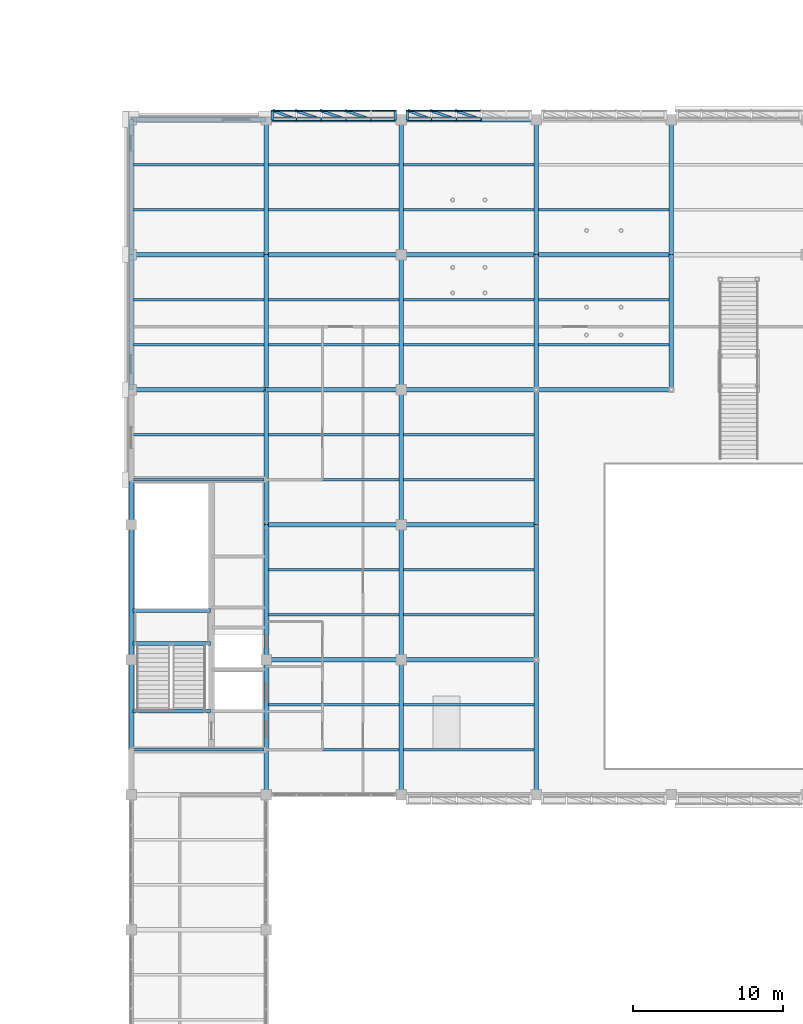
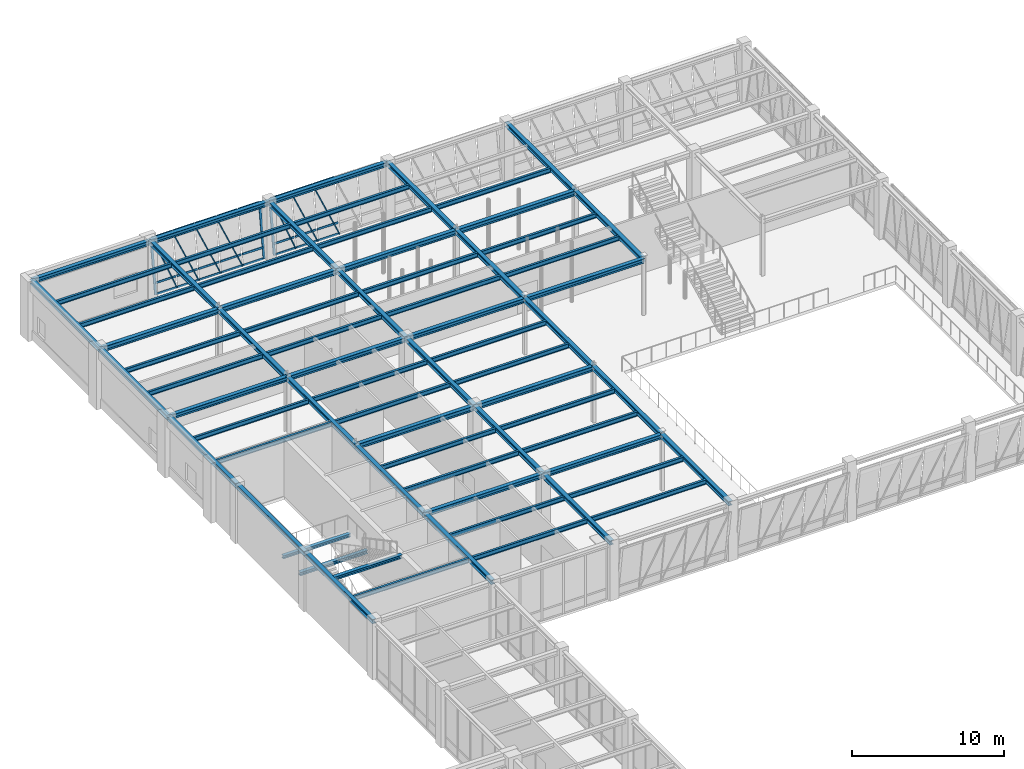
# One storey, part 55 of 92: 70 beams, 34 members, 2 elements without a shape of their own.
"""IFC4 building model written with IfcOpenShell, lengths in metres."""

import ifcopenshell
import ifcopenshell.guid

model = None  # the IFC model being written
_history = None  # IfcOwnerHistory: only IFC2X3 demands one
_inside = {}  # id of a spatial element -> (the spatial element, [elements in it])
_under = {}  # id of a project, library or spatial element -> (it, [spatial elements below it])
_declared = {}  # id of a project -> (the project, [libraries it declares])
_typed = {}  # id of a type object -> (the type object, [elements of that type])
_made_of = {}  # id of a material, layer set ... -> (it, [elements and type objects made of it])


def new_model(schema):
    """Start an empty IFC model of exactly this schema.

    Asked for "IFC4X3", IfcOpenShell would pick the latest addendum, in which some entities
    have other attributes; the version numbers below select the first issue.
    IFC2X3 requires an IfcOwnerHistory on every rooted entity: one is made here for all.
    """
    global model, _history
    if schema == "IFC4X3":
        model = ifcopenshell.file(schema_version=(4, 3, 0, 0))
    else:
        model = ifcopenshell.file(schema=schema)
    _inside.clear()
    _under.clear()
    _declared.clear()
    _typed.clear()
    _made_of.clear()
    _history = None
    if model.schema == "IFC2X3":
        org = make("IfcOrganization", Name="unknown")
        user = make(
            "IfcPersonAndOrganization",
            ThePerson=make("IfcPerson", FamilyName="unknown"),
            TheOrganization=org,
        )
        app = make(
            "IfcApplication",
            ApplicationDeveloper=org,
            Version="unknown",
            ApplicationFullName="unknown",
            ApplicationIdentifier="unknown",
        )
        _history = make(
            "IfcOwnerHistory",
            OwningUser=user,
            OwningApplication=app,
            ChangeAction="ADDED",
            CreationDate=0,
        )
    return model


def make(cls, **values):
    """One entity of the class cls with the attributes given. An attribute that is None is left unset."""
    return model.create_entity(
        cls, **{name: value for name, value in values.items() if value is not None}
    )


def rooted(cls, **values):
    """An entity with a GlobalId (a new one), such as an element, a storey or a relation."""
    return make(cls, GlobalId=ifcopenshell.guid.new(), OwnerHistory=_history, **values)


def si_unit(unit_type, name, prefix=None):
    """IfcSIUnit, for example si_unit("LENGTHUNIT", "METRE", prefix="MILLI")."""
    return make("IfcSIUnit", UnitType=unit_type, Prefix=prefix, Name=name)


def assignment(units):
    """IfcUnitAssignment: the units of a project."""
    return None if units is None else make("IfcUnitAssignment", Units=units)


def point(xyz):
    """IfcCartesianPoint."""
    return None if xyz is None else make("IfcCartesianPoint", Coordinates=xyz)


def direction(xyz):
    """IfcDirection."""
    return None if xyz is None else make("IfcDirection", DirectionRatios=xyz)


def frame(location, z_axis=None, x_axis=None):
    """IfcAxis2Placement3D, a coordinate frame: its origin and axes. An axis left out is left unset."""
    return make(
        "IfcAxis2Placement3D",
        Location=point(location),
        Axis=direction(z_axis),
        RefDirection=direction(x_axis),
    )


def frame_2d(location, x_axis=None):
    """IfcAxis2Placement2D, a coordinate frame in the plane: its origin and x axis."""
    return make(
        "IfcAxis2Placement2D", Location=point(location), RefDirection=direction(x_axis)
    )


def origin():
    """The frame at (0, 0, 0) with its axes left unset."""
    return frame((0.0, 0.0, 0.0))


def origin_2d():
    """The frame at (0, 0) in the plane with its x axis left unset."""
    return frame_2d((0.0, 0.0))


def place(relative_to, where):
    """IfcLocalPlacement: puts the frame where relative to a parent placement (None: the world)."""
    return make(
        "IfcLocalPlacement", PlacementRelTo=relative_to, RelativePlacement=where
    )


def context(
    kind, dimensions, precision=None, world=None, true_north=None, identifier=None
):
    """IfcGeometricRepresentationContext, for example the 3D "Model" context."""
    return make(
        "IfcGeometricRepresentationContext",
        ContextIdentifier=identifier,
        ContextType=kind,
        CoordinateSpaceDimension=dimensions,
        Precision=precision,
        WorldCoordinateSystem=world,
        TrueNorth=true_north,
    )


def subcontext(parent, identifier, kind, view, scale=None):
    """IfcGeometricRepresentationSubContext, for example "Body" below "Model"."""
    return make(
        "IfcGeometricRepresentationSubContext",
        ContextIdentifier=identifier,
        ContextType=kind,
        ParentContext=parent,
        TargetScale=scale,
        TargetView=view,
    )


def project(units=None, contexts=None):
    """IfcProject with its units and contexts."""
    return rooted(
        "IfcProject",
        Name="project",
        RepresentationContexts=contexts,
        UnitsInContext=assignment(units),
    )


def spatial(cls, under=None, at=None, **own):
    """A site, building, storey or space (cls), placed at a placement, below another one or the project."""
    s = rooted(cls, ObjectPlacement=at, **own)
    if under is not None:
        _under.setdefault(under.id(), (under, []))[1].append(s)
    return s


def profile(cls, at=None, kind="AREA", **sizes):
    """A parametric profile (cls). Its sizes go by their IFC names, for example OverallWidth=200.0."""
    return make(cls, ProfileType=kind, Position=at, **sizes)


def hollow_rectangle(**sizes):
    """IfcRectangleHollowProfileDef."""
    return profile("IfcRectangleHollowProfileDef", **sizes)


def i_section(**sizes):
    """IfcIShapeProfileDef."""
    return profile("IfcIShapeProfileDef", **sizes)


def extrude(swept, where, along, depth):
    """IfcExtrudedAreaSolid: the profile swept, set in the frame where, extruded along a direction by depth."""
    return make(
        "IfcExtrudedAreaSolid",
        SweptArea=swept,
        Position=where,
        ExtrudedDirection=direction(along),
        Depth=depth,
    )


def shape(context_of_items, identifier, shape_type, items):
    """IfcShapeRepresentation: the items that make up one representation, for example the "Body"."""
    return make(
        "IfcShapeRepresentation",
        ContextOfItems=context_of_items,
        RepresentationIdentifier=identifier,
        RepresentationType=shape_type,
        Items=items,
    )


def material(Name=None, Category=None):
    """IfcMaterial."""
    return make("IfcMaterial", Name=Name, Category=Category)


def material_profile(
    of_material, cross_section, Name=None, Category=None, Priority=None
):
    """IfcMaterialProfile: a cross section and its material."""
    return make(
        "IfcMaterialProfile",
        Name=Name,
        Material=of_material,
        Profile=cross_section,
        Priority=Priority,
        Category=Category,
    )


def profile_set(profiles, Name=None, composite=None):
    """IfcMaterialProfileSet."""
    return make(
        "IfcMaterialProfileSet",
        Name=Name,
        MaterialProfiles=profiles,
        CompositeProfile=composite,
    )


def made_of(thing, what):
    """Note that an element or type object is made of a material, layer set ...; save() writes the relation."""
    if what is not None:
        _made_of.setdefault(what.id(), (what, []))[1].append(thing)
    return thing


def type_object(cls, material=None, **own):
    """A type object (cls), such as IfcWallType, which elements share."""
    return made_of(rooted(cls, **own), material)


def element(
    cls,
    number,
    at=None,
    inside=None,
    cuts=None,
    type_object=None,
    material=None,
    context=None,
    identifier="Body",
    shape_type=None,
    held_by="IfcProductDefinitionShape",
    body=None,
    shapes=None,
    **own,
):
    """One element of the class cls, such as IfcWall. Its Tag is "e" and its number.

    at: its placement. inside: the storey or other place that contains it. cuts: it is an
    opening in that element (IfcRelVoidsElement). A single representation is given by context,
    identifier, shape_type and body (its items); several are given by shapes. held_by: the class
    of the entity that holds the representations. save() writes the other relations.
    """
    e = rooted(cls, Tag="e%d" % number, ObjectPlacement=at, **own)
    if body is not None:
        shapes = [shape(context, identifier, shape_type, body)]
    if shapes is not None:
        e.Representation = make(held_by, Representations=shapes)
    if inside is not None:
        _inside.setdefault(inside.id(), (inside, []))[1].append(e)
    if cuts is not None:
        rooted(
            "IfcRelVoidsElement", RelatingBuildingElement=cuts, RelatedOpeningElement=e
        )
    if type_object is not None:
        _typed.setdefault(type_object.id(), (type_object, []))[1].append(e)
    return made_of(e, material)


def aggregate(whole, parts):
    """IfcRelAggregates: a whole, such as a stair, and the parts it consists of."""
    return rooted("IfcRelAggregates", RelatingObject=whole, RelatedObjects=parts)


def save(model, path):
    """Write the relations noted so far, then the file.

    IfcRelAggregates (storeys below a building ...), IfcRelContainedInSpatialStructure (elements
    in a storey), IfcRelDefinesByType, IfcRelAssociatesMaterial and IfcRelDeclares: one each for
    every whole, place, type object, material and project.
    """
    for whole, parts in _under.values():
        aggregate(whole, parts)
    for where, things in _inside.values():
        rooted(
            "IfcRelContainedInSpatialStructure",
            RelatedElements=things,
            RelatingStructure=where,
        )
    for kind, things in _typed.values():
        rooted("IfcRelDefinesByType", RelatedObjects=things, RelatingType=kind)
    for what, things in _made_of.values():
        rooted("IfcRelAssociatesMaterial", RelatedObjects=things, RelatingMaterial=what)
    for by, libraries in _declared.values():
        rooted("IfcRelDeclares", RelatingContext=by, RelatedDefinitions=libraries)
    model.write(path)


model = new_model("IFC4")

# Units and contexts
model_context = context("Model", 3, precision=1e-05, world=origin(), true_north=direction((0.0, 1.0)))
body_context = subcontext(model_context, "Body", "Model", "MODEL_VIEW")
ifc_project = project(units=[si_unit("LENGTHUNIT", "METRE"), si_unit("AREAUNIT", "SQUARE_METRE"), si_unit("VOLUMEUNIT", "CUBIC_METRE"), si_unit("PLANEANGLEUNIT", "RADIAN"), si_unit("MASSUNIT", "GRAM", prefix="KILO")], contexts=[model_context])

# Site, building, storey
site_placement = place(None, origin())
site = spatial("IfcSite", under=ifc_project, at=site_placement, CompositionType="ELEMENT")
building_placement = place(site_placement, origin())
building = spatial("IfcBuilding", under=site, at=building_placement, Name="Lykobir Media Centre", CompositionType="ELEMENT")
storey_placement = place(building_placement, frame((0.0, 0.0, 5.39990234375)))
storey = spatial("IfcBuildingStorey", under=building, at=storey_placement, Name="L01", CompositionType="ELEMENT", Elevation=5.39990234375)

# Beams
ifc_material_1 = material(Name="Steel S355", Category="steel")
ifc_material_profile_1 = material_profile(ifc_material_1, i_section(OverallWidth=0.300048828125, OverallDepth=0.35009765625, WebThickness=0.010009765625, FlangeThickness=0.017578125, at=origin_2d()), Name="HEA 360")
ifc_profile_set_1 = profile_set([ifc_material_profile_1], Name="Steel S355")
beam_type_1 = type_object("IfcBeamType", Name="BM-HEA360", PredefinedType="BEAM", material=ifc_profile_set_1)
for number, where, z_axis, x_axis, name in (
    (1, (36.0, 63.0, 4.385009765625), (0.0, 1.0, 0.0), (-1.0, 0.0, 0.0), "Beam BM-L01-0360-0630-0360-0720-978"),
    (2, (36.0, 72.0, 4.385009765625), (0.0, 1.0, 0.0), (-1.0, 0.0, 0.0), "Beam BM-L01-0360-0720-0360-0810-978"),
    (3, (36.0, 81.0, 4.385009765625), (0.0, 1.0, 0.0), (-1.0, 0.0, 0.0), "Beam BM-L01-0360-0810-0360-0900-978"),
    (4, (36.0, 90.0, 4.385009765625), (0.0, 1.0, 0.0), (-1.0, 0.0, 0.0), "Beam BM-L01-0360-0900-0360-0990-978"),
    (5, (36.0, 99.0, 4.385009765625), (0.0, 1.0, 0.0), (-1.0, 0.0, 0.0), "Beam BM-L01-0360-0990-0360-1080-978"),
    (6, (45.0, 63.0, 4.385009765625), (0.0, 1.0, 0.0), (-1.0, 0.0, 0.0), "Beam BM-L01-0450-0630-0450-0720-978"),
    (7, (45.0, 72.0, 4.385009765625), (0.0, 1.0, 0.0), (-1.0, 0.0, 0.0), "Beam BM-L01-0450-0720-0450-0810-978"),
    (8, (45.0, 81.0, 4.385009765625), (0.0, 1.0, 0.0), (-1.0, 0.0, 0.0), "Beam BM-L01-0450-0810-0450-0900-978"),
    (9, (45.0, 90.0, 4.385009765625), (0.0, 1.0, 0.0), (-1.0, 0.0, 0.0), "Beam BM-L01-0450-0900-0450-0990-978"),
    (10, (45.0, 99.0, 4.385009765625), (0.0, 1.0, 0.0), (-1.0, 0.0, 0.0), "Beam BM-L01-0450-0990-0450-1080-978"),
    (11, (54.0, 63.0, 4.385009765625), (0.0, 1.0, 0.0), (-1.0, 0.0, 0.0), "Beam BM-L01-0540-0630-0540-0720-978"),
    (12, (54.0, 72.0, 4.385009765625), (0.0, 1.0, 0.0), (-1.0, 0.0, 0.0), "Beam BM-L01-0540-0720-0540-0810-978"),
    (13, (54.0, 81.0, 4.385009765625), (0.0, 1.0, 0.0), (-1.0, 0.0, 0.0), "Beam BM-L01-0540-0810-0540-0900-978"),
    (14, (54.0, 90.0, 4.385009765625), (0.0, 1.0, 0.0), (-1.0, 0.0, 0.0), "Beam BM-L01-0540-0900-0540-0990-978"),
    (15, (54.0, 99.0, 4.385009765625), (0.0, 1.0, 0.0), (-1.0, 0.0, 0.0), "Beam BM-L01-0540-0990-0540-1080-978"),
    (16, (63.0, 90.0, 4.385009765625), (0.0, 1.0, 0.0), (-1.0, 0.0, 0.0), "Beam BM-L01-0630-0900-0630-0990-978"),
    (17, (63.0, 99.0, 4.385009765625), (0.0, 1.0, 0.0), (-1.0, 0.0, 0.0), "Beam BM-L01-0630-0990-0630-1080-978"),
):
    element("IfcBeam", number, at=place(storey_placement, frame(where, z_axis=z_axis, x_axis=x_axis)), inside=storey, type_object=beam_type_1, Name=name, PredefinedType="BEAM", context=body_context, shape_type="SweptSolid", body=[
        extrude(i_section(OverallWidth=0.300048828125, OverallDepth=0.35009765625, WebThickness=0.010009765625, FlangeThickness=0.017578125, at=origin_2d()), origin(), (0.0, 0.0, 1.0), 9.0),
    ])
ifc_material_profile_2 = material_profile(ifc_material_1, i_section(OverallWidth=0.300048828125, OverallDepth=0.389892578125, WebThickness=0.010986328125, FlangeThickness=0.01904296875, at=origin_2d()), Name="HEA 400")
ifc_profile_set_2 = profile_set([ifc_material_profile_2], Name="Steel S355")
beam_type_2 = type_object("IfcBeamType", Name="BM-HEA400", PredefinedType="BEAM", material=ifc_profile_set_2)
for number, where, z_axis, x_axis, name in (
    (18, (36.0, 81.0, 4.364990234375), (1.0, 0.0, 0.0), (0.0, 1.0, 0.0), "Beam BM-L01-0360-0810-0450-0810-976"),
    (19, (45.0, 81.0, 4.364990234375), (1.0, 0.0, 0.0), (0.0, 1.0, 0.0), "Beam BM-L01-0450-0810-0540-0810-976"),
    (20, (27.0, 99.0, 4.364990234375), (1.0, 0.0, 0.0), (0.0, 1.0, 0.0), "Beam BM-L01-0270-0990-0360-0990-976"),
    (21, (36.0, 99.0, 4.364990234375), (1.0, 0.0, 0.0), (0.0, 1.0, 0.0), "Beam BM-L01-0360-0990-0450-0990-976"),
    (22, (45.0, 99.0, 4.364990234375), (1.0, 0.0, 0.0), (0.0, 1.0, 0.0), "Beam BM-L01-0450-0990-0540-0990-976"),
    (23, (54.0, 99.0, 4.364990234375), (1.0, 0.0, 0.0), (0.0, 1.0, 0.0), "Beam BM-L01-0540-0990-0630-0990-976"),
):
    element("IfcBeam", number, at=place(storey_placement, frame(where, z_axis=z_axis, x_axis=x_axis)), inside=storey, type_object=beam_type_2, Name=name, PredefinedType="BEAM", context=body_context, shape_type="SweptSolid", body=[
        extrude(i_section(OverallWidth=0.300048828125, OverallDepth=0.389892578125, WebThickness=0.010986328125, FlangeThickness=0.01904296875, at=origin_2d()), origin(), (0.0, 0.0, 1.0), 9.0),
    ])
ifc_material_profile_3 = material_profile(ifc_material_1, i_section(OverallWidth=0.260009765625, OverallDepth=0.25, WebThickness=0.007568359375, FlangeThickness=0.012451171875, at=origin_2d()), Name="HEA 260")
ifc_profile_set_3 = profile_set([ifc_material_profile_3], Name="Steel S355")
beam_type_3 = type_object("IfcBeamType", Name="BM-ST260", PredefinedType="BEAM", material=ifc_profile_set_3)
beam_placement = place(storey_placement, frame((27.1298828125, 75.280029296875, 2.080078125), z_axis=(1.0, 0.0, 0.0), x_axis=(0.0, 1.0, 0.0)))
element("IfcBeam", 24, at=beam_placement, inside=storey, type_object=beam_type_3, Name="ST-3 L01 half-landing support beam", PredefinedType="BEAM", context=body_context, shape_type="SweptSolid", body=[
    extrude(i_section(OverallWidth=0.260009765625, OverallDepth=0.25, WebThickness=0.007568359375, FlangeThickness=0.012451171875, at=origin_2d()), origin(), (0.0, 0.0, 1.0), 5.14013671875),
])
ifc_material_profile_4 = material_profile(ifc_material_1, i_section(OverallWidth=0.280029296875, OverallDepth=0.27001953125, WebThickness=0.008056640625, FlangeThickness=0.012939453125, at=origin_2d()), Name="HEA 280")
ifc_profile_set_4 = profile_set([ifc_material_profile_4], Name="Steel S355")
beam_type_4 = type_object("IfcBeamType", Name="BM-ST280", PredefinedType="BEAM", material=ifc_profile_set_4)
for number, where, z_axis, x_axis, name in (
    (25, (27.1298828125, 68.580078125, 4.425048828125), (1.0, 0.0, 0.0), (0.0, 1.0, 0.0), "ST-3 L01 arrival trimmer beam"),
    (26, (27.1298828125, 73.080078125, 2.070068359375), (1.0, 0.0, 0.0), (0.0, 1.0, 0.0), "ST-3 L01 mid-landing trimmer beam"),
):
    element("IfcBeam", number, at=place(storey_placement, frame(where, z_axis=z_axis, x_axis=x_axis)), inside=storey, type_object=beam_type_4, Name=name, PredefinedType="BEAM", context=body_context, shape_type="SweptSolid", body=[
        extrude(i_section(OverallWidth=0.280029296875, OverallDepth=0.27001953125, WebThickness=0.008056640625, FlangeThickness=0.012939453125, at=origin_2d()), origin(), (0.0, 0.0, 1.0), 5.14013671875),
    ])

# Curtain wall, members
ifc_material_2 = material(Name="Anodized Aluminium AW-6060", Category="aluminium")
curtain_wall_type = type_object("IfcCurtainWallType", Name="CW-V6-CR1", PredefinedType="NOTDEFINED", material=ifc_material_2)
curtain_wall_1_placement = place(storey_placement, origin())
curtain_wall_1 = element("IfcCurtainWall", 27, at=curtain_wall_1_placement, inside=storey, type_object=curtain_wall_type, Name="Curtain wall CW2-L01-0063", PredefinedType="NOTDEFINED")
ifc_material_profile_5 = material_profile(ifc_material_2, hollow_rectangle(XDim=0.074951171875, YDim=0.179931640625, WallThickness=0.00390625, at=origin_2d()), Name="ALU MULLION 75x180")
ifc_profile_set_5 = profile_set([ifc_material_profile_5], Name="Anodized Aluminium AW-6060")
member_type_1 = type_object("IfcMemberType", Name="CWM-180", PredefinedType="MULLION", material=ifc_profile_set_5)
member_1_placement = place(storey_placement, frame((44.607421875, 108.0, 0.0), z_axis=(0.0, 0.142622832142, 0.989777110137), x_axis=(0.0, 0.989777110137, -0.142622832142)))
member_1 = element("IfcMember", 28, at=member_1_placement, type_object=member_type_1, Name="CW2-L01-0063 mullion 1", PredefinedType="MULLION", context=body_context, shape_type="SweptSolid", body=[
    extrude(hollow_rectangle(XDim=0.074951171875, YDim=0.179931640625, WallThickness=0.00390625, at=origin_2d()), origin(), (0.0, 0.0, 1.0), 4.23828125),
])
member_2_placement = place(storey_placement, frame((42.987060546875, 108.0, 0.0), z_axis=(-0.374602604658, 0.132237817099, 0.917706951217), x_axis=(-0.865370560596, 0.305482963792, -0.39725804169)))
member_2 = element("IfcMember", 29, at=member_2_placement, type_object=member_type_1, Name="CW2-L01-0063 mullion 2", PredefinedType="MULLION", context=body_context, shape_type="SweptSolid", body=[
    extrude(hollow_rectangle(XDim=0.074951171875, YDim=0.179931640625, WallThickness=0.00390625, at=origin_2d()), origin(), (0.0, 0.0, 1.0), 4.5712890625),
])
member_3_placement = place(storey_placement, frame((41.3291015625, 108.0, 0.0), z_axis=(-0.374602604658, 0.132237817099, 0.917706951217), x_axis=(-0.865370560596, 0.305482963792, -0.39725804169)))
member_3 = element("IfcMember", 30, at=member_3_placement, type_object=member_type_1, Name="CW2-L01-0063 mullion 3", PredefinedType="MULLION", context=body_context, shape_type="SweptSolid", body=[
    extrude(hollow_rectangle(XDim=0.074951171875, YDim=0.179931640625, WallThickness=0.00390625, at=origin_2d()), origin(), (0.0, 0.0, 1.0), 4.5712890625),
])
member_4_placement = place(storey_placement, frame((39.6708984375, 108.0, 0.0), z_axis=(-0.374602604658, 0.132237817099, 0.917706951217), x_axis=(-0.865370560596, 0.305482963792, -0.39725804169)))
member_4 = element("IfcMember", 31, at=member_4_placement, type_object=member_type_1, Name="CW2-L01-0063 mullion 4", PredefinedType="MULLION", context=body_context, shape_type="SweptSolid", body=[
    extrude(hollow_rectangle(XDim=0.074951171875, YDim=0.179931640625, WallThickness=0.00390625, at=origin_2d()), origin(), (0.0, 0.0, 1.0), 4.5712890625),
])
member_5_placement = place(storey_placement, frame((38.012939453125, 108.0, 0.0), z_axis=(-0.34256027137, 0.133993559544, 0.929891491777), x_axis=(-0.865999136953, 0.338738366998, -0.367833948298)))
member_5 = element("IfcMember", 32, at=member_5_placement, type_object=member_type_1, Name="CW2-L01-0063 mullion 5", PredefinedType="MULLION", context=body_context, shape_type="SweptSolid", body=[
    extrude(hollow_rectangle(XDim=0.074951171875, YDim=0.179931640625, WallThickness=0.00390625, at=origin_2d()), origin(), (0.0, 0.0, 1.0), 4.511474609375),
])
member_6_placement = place(storey_placement, frame((36.392578125, 108.0, 0.0), z_axis=(0.0, 0.142622832142, 0.989777110137), x_axis=(0.0, 0.989777110137, -0.142622832142)))
member_6 = element("IfcMember", 33, at=member_6_placement, type_object=member_type_1, Name="CW2-L01-0063 mullion 6", PredefinedType="MULLION", context=body_context, shape_type="SweptSolid", body=[
    extrude(hollow_rectangle(XDim=0.074951171875, YDim=0.179931640625, WallThickness=0.00390625, at=origin_2d()), origin(), (0.0, 0.0, 1.0), 4.23828125),
])

curtain_wall_2_placement = place(storey_placement, origin())
curtain_wall_2 = element("IfcCurtainWall", 34, at=curtain_wall_2_placement, inside=storey, type_object=curtain_wall_type, Name="Curtain wall CW2-L01-0064", PredefinedType="NOTDEFINED")
member_7_placement = place(storey_placement, frame((50.3291015625, 108.0, 0.0), z_axis=(-0.374602604658, 0.132237817099, 0.917706951217), x_axis=(-0.865370560596, 0.305482963792, -0.39725804169)))
member_7 = element("IfcMember", 35, at=member_7_placement, type_object=member_type_1, Name="CW2-L01-0064 mullion 3", PredefinedType="MULLION", context=body_context, shape_type="SweptSolid", body=[
    extrude(hollow_rectangle(XDim=0.074951171875, YDim=0.179931640625, WallThickness=0.00390625, at=origin_2d()), origin(), (0.0, 0.0, 1.0), 4.5712890625),
])
member_8_placement = place(storey_placement, frame((48.6708984375, 108.0, 0.0), z_axis=(-0.374602604658, 0.132237817099, 0.917706951217), x_axis=(-0.865370560596, 0.305482963792, -0.39725804169)))
member_8 = element("IfcMember", 36, at=member_8_placement, type_object=member_type_1, Name="CW2-L01-0064 mullion 4", PredefinedType="MULLION", context=body_context, shape_type="SweptSolid", body=[
    extrude(hollow_rectangle(XDim=0.074951171875, YDim=0.179931640625, WallThickness=0.00390625, at=origin_2d()), origin(), (0.0, 0.0, 1.0), 4.5712890625),
])
member_9_placement = place(storey_placement, frame((47.012939453125, 108.0, 0.0), z_axis=(-0.34256027137, 0.133993559544, 0.929891491777), x_axis=(-0.865999136953, 0.338738366998, -0.367833948298)))
member_9 = element("IfcMember", 37, at=member_9_placement, type_object=member_type_1, Name="CW2-L01-0064 mullion 5", PredefinedType="MULLION", context=body_context, shape_type="SweptSolid", body=[
    extrude(hollow_rectangle(XDim=0.074951171875, YDim=0.179931640625, WallThickness=0.00390625, at=origin_2d()), origin(), (0.0, 0.0, 1.0), 4.511474609375),
])
member_10_placement = place(storey_placement, frame((45.392578125, 108.0, 0.0), z_axis=(0.0, 0.142622832142, 0.989777110137), x_axis=(0.0, 0.989777110137, -0.142622832142)))
member_10 = element("IfcMember", 38, at=member_10_placement, type_object=member_type_1, Name="CW2-L01-0064 mullion 6", PredefinedType="MULLION", context=body_context, shape_type="SweptSolid", body=[
    extrude(hollow_rectangle(XDim=0.074951171875, YDim=0.179931640625, WallThickness=0.00390625, at=origin_2d()), origin(), (0.0, 0.0, 1.0), 4.23828125),
])

# Member
ifc_material_profile_6 = material_profile(ifc_material_2, hollow_rectangle(XDim=0.074951171875, YDim=0.14990234375, WallThickness=0.00341796875, at=origin_2d()), Name="ALU TRANSOM 75x150")
ifc_profile_set_6 = profile_set([ifc_material_profile_6], Name="Anodized Aluminium AW-6060")
member_type_2 = type_object("IfcMemberType", Name="CWT-150", PredefinedType="USERDEFINED", material=ifc_profile_set_6)
member_11_placement = place(storey_placement, frame((44.570068359375, 108.00537109375, 0.037109375), z_axis=(-1.0, 0.0, 0.0), x_axis=(0.0, -0.989776230908, 0.142628933706)))
member_11 = element("IfcMember", 39, at=member_11_placement, type_object=member_type_2, Name="CW2-L01-0063 transom 1.1", ObjectType="TRANSOM", PredefinedType="USERDEFINED", context=body_context, shape_type="SweptSolid", body=[
    extrude(hollow_rectangle(XDim=0.074951171875, YDim=0.14990234375, WallThickness=0.00341796875, at=origin_2d()), origin(), (0.0, 0.0, 1.0), 1.545654296875),
])

member_12_placement = place(storey_placement, frame((44.570068359375, 108.12109375, 0.84130859375), z_axis=(-1.0, 0.0, 0.0), x_axis=(0.0, -0.989776230908, 0.142628933706)))
member_12 = element("IfcMember", 40, at=member_12_placement, type_object=member_type_2, Name="CW2-L01-0063 transom 1.2", ObjectType="TRANSOM", PredefinedType="USERDEFINED", context=body_context, shape_type="SweptSolid", body=[
    extrude(hollow_rectangle(XDim=0.074951171875, YDim=0.14990234375, WallThickness=0.00341796875, at=origin_2d()), origin(), (0.0, 0.0, 1.0), 1.545654296875),
])

member_13_placement = place(storey_placement, frame((44.570068359375, 108.59912109375, 4.157958984375), z_axis=(-1.0, 0.0, 0.0), x_axis=(0.0, -0.989776230908, 0.142628933706)))
member_13 = element("IfcMember", 41, at=member_13_placement, type_object=member_type_2, Name="CW2-L01-0063 transom 1.3", ObjectType="TRANSOM", PredefinedType="USERDEFINED", context=body_context, shape_type="SweptSolid", body=[
    extrude(hollow_rectangle(XDim=0.074951171875, YDim=0.14990234375, WallThickness=0.00341796875, at=origin_2d()), origin(), (0.0, 0.0, 1.0), 1.545654296875),
])

member_14_placement = place(storey_placement, frame((42.949462890625, 108.00537109375, 0.037109375), z_axis=(-1.0, 0.0, 0.0), x_axis=(0.0, -0.989776230908, 0.142628933706)))
member_14 = element("IfcMember", 42, at=member_14_placement, type_object=member_type_2, Name="CW2-L01-0063 transom 2.1", ObjectType="TRANSOM", PredefinedType="USERDEFINED", context=body_context, shape_type="SweptSolid", body=[
    extrude(hollow_rectangle(XDim=0.074951171875, YDim=0.14990234375, WallThickness=0.00341796875, at=origin_2d()), origin(), (0.0, 0.0, 1.0), 1.5830078125),
])

member_15_placement = place(storey_placement, frame((42.949462890625, 108.12109375, 0.84130859375), z_axis=(-1.0, 0.0, 0.0), x_axis=(0.0, -0.989776230908, 0.142628933706)))
member_15 = element("IfcMember", 43, at=member_15_placement, type_object=member_type_2, Name="CW2-L01-0063 transom 2.2", ObjectType="TRANSOM", PredefinedType="USERDEFINED", context=body_context, shape_type="SweptSolid", body=[
    extrude(hollow_rectangle(XDim=0.074951171875, YDim=0.14990234375, WallThickness=0.00341796875, at=origin_2d()), origin(), (0.0, 0.0, 1.0), 1.5830078125),
])

member_16_placement = place(storey_placement, frame((42.949462890625, 108.59912109375, 4.157958984375), z_axis=(-1.0, 0.0, 0.0), x_axis=(0.0, -0.989776230908, 0.142628933706)))
member_16 = element("IfcMember", 44, at=member_16_placement, type_object=member_type_2, Name="CW2-L01-0063 transom 2.3", ObjectType="TRANSOM", PredefinedType="USERDEFINED", context=body_context, shape_type="SweptSolid", body=[
    extrude(hollow_rectangle(XDim=0.074951171875, YDim=0.14990234375, WallThickness=0.00341796875, at=origin_2d()), origin(), (0.0, 0.0, 1.0), 1.5830078125),
])

member_17_placement = place(storey_placement, frame((41.29150390625, 108.00537109375, 0.037109375), z_axis=(-1.0, 0.0, 0.0), x_axis=(0.0, -0.989776230908, 0.142628933706)))
member_17 = element("IfcMember", 45, at=member_17_placement, type_object=member_type_2, Name="CW2-L01-0063 transom 3.1", ObjectType="TRANSOM", PredefinedType="USERDEFINED", context=body_context, shape_type="SweptSolid", body=[
    extrude(hollow_rectangle(XDim=0.074951171875, YDim=0.14990234375, WallThickness=0.00341796875, at=origin_2d()), origin(), (0.0, 0.0, 1.0), 1.5830078125),
])

member_18_placement = place(storey_placement, frame((41.29150390625, 108.12109375, 0.84130859375), z_axis=(-1.0, 0.0, 0.0), x_axis=(0.0, -0.989776230908, 0.142628933706)))
member_18 = element("IfcMember", 46, at=member_18_placement, type_object=member_type_2, Name="CW2-L01-0063 transom 3.2", ObjectType="TRANSOM", PredefinedType="USERDEFINED", context=body_context, shape_type="SweptSolid", body=[
    extrude(hollow_rectangle(XDim=0.074951171875, YDim=0.14990234375, WallThickness=0.00341796875, at=origin_2d()), origin(), (0.0, 0.0, 1.0), 1.5830078125),
])

member_19_placement = place(storey_placement, frame((41.29150390625, 108.59912109375, 4.157958984375), z_axis=(-1.0, 0.0, 0.0), x_axis=(0.0, -0.989776230908, 0.142628933706)))
member_19 = element("IfcMember", 47, at=member_19_placement, type_object=member_type_2, Name="CW2-L01-0063 transom 3.3", ObjectType="TRANSOM", PredefinedType="USERDEFINED", context=body_context, shape_type="SweptSolid", body=[
    extrude(hollow_rectangle(XDim=0.074951171875, YDim=0.14990234375, WallThickness=0.00341796875, at=origin_2d()), origin(), (0.0, 0.0, 1.0), 1.5830078125),
])

member_20_placement = place(storey_placement, frame((39.633544921875, 108.00537109375, 0.037109375), z_axis=(-1.0, 0.0, 0.0), x_axis=(0.0, -0.989776230908, 0.142628933706)))
member_20 = element("IfcMember", 48, at=member_20_placement, type_object=member_type_2, Name="CW2-L01-0063 transom 4.1", ObjectType="TRANSOM", PredefinedType="USERDEFINED", context=body_context, shape_type="SweptSolid", body=[
    extrude(hollow_rectangle(XDim=0.074951171875, YDim=0.14990234375, WallThickness=0.00341796875, at=origin_2d()), origin(), (0.0, 0.0, 1.0), 1.5830078125),
])

member_21_placement = place(storey_placement, frame((39.633544921875, 108.12109375, 0.84130859375), z_axis=(-1.0, 0.0, 0.0), x_axis=(0.0, -0.989776230908, 0.142628933706)))
member_21 = element("IfcMember", 49, at=member_21_placement, type_object=member_type_2, Name="CW2-L01-0063 transom 4.2", ObjectType="TRANSOM", PredefinedType="USERDEFINED", context=body_context, shape_type="SweptSolid", body=[
    extrude(hollow_rectangle(XDim=0.074951171875, YDim=0.14990234375, WallThickness=0.00341796875, at=origin_2d()), origin(), (0.0, 0.0, 1.0), 1.5830078125),
])

member_22_placement = place(storey_placement, frame((39.633544921875, 108.59912109375, 4.157958984375), z_axis=(-1.0, 0.0, 0.0), x_axis=(0.0, -0.989776230908, 0.142628933706)))
member_22 = element("IfcMember", 50, at=member_22_placement, type_object=member_type_2, Name="CW2-L01-0063 transom 4.3", ObjectType="TRANSOM", PredefinedType="USERDEFINED", context=body_context, shape_type="SweptSolid", body=[
    extrude(hollow_rectangle(XDim=0.074951171875, YDim=0.14990234375, WallThickness=0.00341796875, at=origin_2d()), origin(), (0.0, 0.0, 1.0), 1.5830078125),
])

member_23_placement = place(storey_placement, frame((37.9755859375, 108.00537109375, 0.037109375), z_axis=(-1.0, 0.0, 0.0), x_axis=(0.0, -0.989776230908, 0.142628933706)))
member_23 = element("IfcMember", 51, at=member_23_placement, type_object=member_type_2, Name="CW2-L01-0063 transom 5.1", ObjectType="TRANSOM", PredefinedType="USERDEFINED", context=body_context, shape_type="SweptSolid", body=[
    extrude(hollow_rectangle(XDim=0.074951171875, YDim=0.14990234375, WallThickness=0.00341796875, at=origin_2d()), origin(), (0.0, 0.0, 1.0), 1.545654296875),
])

member_24_placement = place(storey_placement, frame((37.9755859375, 108.12109375, 0.84130859375), z_axis=(-1.0, 0.0, 0.0), x_axis=(0.0, -0.989776230908, 0.142628933706)))
member_24 = element("IfcMember", 52, at=member_24_placement, type_object=member_type_2, Name="CW2-L01-0063 transom 5.2", ObjectType="TRANSOM", PredefinedType="USERDEFINED", context=body_context, shape_type="SweptSolid", body=[
    extrude(hollow_rectangle(XDim=0.074951171875, YDim=0.14990234375, WallThickness=0.00341796875, at=origin_2d()), origin(), (0.0, 0.0, 1.0), 1.545654296875),
])

member_25_placement = place(storey_placement, frame((37.9755859375, 108.59912109375, 4.157958984375), z_axis=(-1.0, 0.0, 0.0), x_axis=(0.0, -0.989776230908, 0.142628933706)))
member_25 = element("IfcMember", 53, at=member_25_placement, type_object=member_type_2, Name="CW2-L01-0063 transom 5.3", ObjectType="TRANSOM", PredefinedType="USERDEFINED", context=body_context, shape_type="SweptSolid", body=[
    extrude(hollow_rectangle(XDim=0.074951171875, YDim=0.14990234375, WallThickness=0.00341796875, at=origin_2d()), origin(), (0.0, 0.0, 1.0), 1.545654296875),
])

aggregate(curtain_wall_1, [member_1, member_2, member_3, member_4, member_5, member_6, member_11, member_12, member_13, member_14, member_15, member_16, member_17, member_18, member_19, member_20, member_21, member_22, member_23, member_24, member_25])

member_26_placement = place(storey_placement, frame((50.29150390625, 108.00537109375, 0.037109375), z_axis=(-1.0, 0.0, 0.0), x_axis=(0.0, -0.989776230908, 0.142628933706)))
member_26 = element("IfcMember", 54, at=member_26_placement, type_object=member_type_2, Name="CW2-L01-0064 transom 3.1", ObjectType="TRANSOM", PredefinedType="USERDEFINED", context=body_context, shape_type="SweptSolid", body=[
    extrude(hollow_rectangle(XDim=0.074951171875, YDim=0.14990234375, WallThickness=0.00341796875, at=origin_2d()), origin(), (0.0, 0.0, 1.0), 1.5830078125),
])

member_27_placement = place(storey_placement, frame((50.29150390625, 108.12109375, 0.84130859375), z_axis=(-1.0, 0.0, 0.0), x_axis=(0.0, -0.989776230908, 0.142628933706)))
member_27 = element("IfcMember", 55, at=member_27_placement, type_object=member_type_2, Name="CW2-L01-0064 transom 3.2", ObjectType="TRANSOM", PredefinedType="USERDEFINED", context=body_context, shape_type="SweptSolid", body=[
    extrude(hollow_rectangle(XDim=0.074951171875, YDim=0.14990234375, WallThickness=0.00341796875, at=origin_2d()), origin(), (0.0, 0.0, 1.0), 1.5830078125),
])

member_28_placement = place(storey_placement, frame((50.29150390625, 108.59912109375, 4.157958984375), z_axis=(-1.0, 0.0, 0.0), x_axis=(0.0, -0.989776230908, 0.142628933706)))
member_28 = element("IfcMember", 56, at=member_28_placement, type_object=member_type_2, Name="CW2-L01-0064 transom 3.3", ObjectType="TRANSOM", PredefinedType="USERDEFINED", context=body_context, shape_type="SweptSolid", body=[
    extrude(hollow_rectangle(XDim=0.074951171875, YDim=0.14990234375, WallThickness=0.00341796875, at=origin_2d()), origin(), (0.0, 0.0, 1.0), 1.5830078125),
])

member_29_placement = place(storey_placement, frame((48.633544921875, 108.00537109375, 0.037109375), z_axis=(-1.0, 0.0, 0.0), x_axis=(0.0, -0.989776230908, 0.142628933706)))
member_29 = element("IfcMember", 57, at=member_29_placement, type_object=member_type_2, Name="CW2-L01-0064 transom 4.1", ObjectType="TRANSOM", PredefinedType="USERDEFINED", context=body_context, shape_type="SweptSolid", body=[
    extrude(hollow_rectangle(XDim=0.074951171875, YDim=0.14990234375, WallThickness=0.00341796875, at=origin_2d()), origin(), (0.0, 0.0, 1.0), 1.5830078125),
])

member_30_placement = place(storey_placement, frame((48.633544921875, 108.12109375, 0.84130859375), z_axis=(-1.0, 0.0, 0.0), x_axis=(0.0, -0.989776230908, 0.142628933706)))
member_30 = element("IfcMember", 58, at=member_30_placement, type_object=member_type_2, Name="CW2-L01-0064 transom 4.2", ObjectType="TRANSOM", PredefinedType="USERDEFINED", context=body_context, shape_type="SweptSolid", body=[
    extrude(hollow_rectangle(XDim=0.074951171875, YDim=0.14990234375, WallThickness=0.00341796875, at=origin_2d()), origin(), (0.0, 0.0, 1.0), 1.5830078125),
])

member_31_placement = place(storey_placement, frame((48.633544921875, 108.59912109375, 4.157958984375), z_axis=(-1.0, 0.0, 0.0), x_axis=(0.0, -0.989776230908, 0.142628933706)))
member_31 = element("IfcMember", 59, at=member_31_placement, type_object=member_type_2, Name="CW2-L01-0064 transom 4.3", ObjectType="TRANSOM", PredefinedType="USERDEFINED", context=body_context, shape_type="SweptSolid", body=[
    extrude(hollow_rectangle(XDim=0.074951171875, YDim=0.14990234375, WallThickness=0.00341796875, at=origin_2d()), origin(), (0.0, 0.0, 1.0), 1.5830078125),
])

member_32_placement = place(storey_placement, frame((46.9755859375, 108.00537109375, 0.037109375), z_axis=(-1.0, 0.0, 0.0), x_axis=(0.0, -0.989776230908, 0.142628933706)))
member_32 = element("IfcMember", 60, at=member_32_placement, type_object=member_type_2, Name="CW2-L01-0064 transom 5.1", ObjectType="TRANSOM", PredefinedType="USERDEFINED", context=body_context, shape_type="SweptSolid", body=[
    extrude(hollow_rectangle(XDim=0.074951171875, YDim=0.14990234375, WallThickness=0.00341796875, at=origin_2d()), origin(), (0.0, 0.0, 1.0), 1.545654296875),
])

member_33_placement = place(storey_placement, frame((46.9755859375, 108.12109375, 0.84130859375), z_axis=(-1.0, 0.0, 0.0), x_axis=(0.0, -0.989776230908, 0.142628933706)))
member_33 = element("IfcMember", 61, at=member_33_placement, type_object=member_type_2, Name="CW2-L01-0064 transom 5.2", ObjectType="TRANSOM", PredefinedType="USERDEFINED", context=body_context, shape_type="SweptSolid", body=[
    extrude(hollow_rectangle(XDim=0.074951171875, YDim=0.14990234375, WallThickness=0.00341796875, at=origin_2d()), origin(), (0.0, 0.0, 1.0), 1.545654296875),
])

member_34_placement = place(storey_placement, frame((46.9755859375, 108.59912109375, 4.157958984375), z_axis=(-1.0, 0.0, 0.0), x_axis=(0.0, -0.989776230908, 0.142628933706)))
member_34 = element("IfcMember", 62, at=member_34_placement, type_object=member_type_2, Name="CW2-L01-0064 transom 5.3", ObjectType="TRANSOM", PredefinedType="USERDEFINED", context=body_context, shape_type="SweptSolid", body=[
    extrude(hollow_rectangle(XDim=0.074951171875, YDim=0.14990234375, WallThickness=0.00341796875, at=origin_2d()), origin(), (0.0, 0.0, 1.0), 1.545654296875),
])

aggregate(curtain_wall_2, [member_7, member_8, member_9, member_10, member_26, member_27, member_28, member_29, member_30, member_31, member_32, member_33, member_34])

# Beams
ifc_material_profile_7 = material_profile(ifc_material_1, i_section(OverallWidth=0.169921875, OverallDepth=0.360107421875, WebThickness=0.008056640625, FlangeThickness=0.0126953125, at=origin_2d()), Name="IPE 360")
ifc_profile_set_7 = profile_set([ifc_material_profile_7], Name="Steel S355")
beam_type_5 = type_object("IfcBeamType", Name="JS-IPE360", PredefinedType="JOIST", material=ifc_profile_set_7)
for number, where, z_axis, x_axis, name in (
    (63, (27.14990234375, 66.0, 4.380126953125), (1.0, 0.0, 0.0), (0.0, 1.0, 0.0), "Beam BM-L01-0272-0660-0358-0660-978"),
    (64, (27.14990234375, 84.0, 4.380126953125), (1.0, 0.0, 0.0), (0.0, 1.0, 0.0), "Beam BM-L01-0272-0840-0358-0840-978"),
    (65, (27.14990234375, 87.0, 4.380126953125), (1.0, 0.0, 0.0), (0.0, 1.0, 0.0), "Beam BM-L01-0272-0870-0358-0870-978"),
    (66, (27.14990234375, 93.0, 4.380126953125), (1.0, 0.0, 0.0), (0.0, 1.0, 0.0), "Beam BM-L01-0272-0930-0358-0930-978"),
    (67, (27.14990234375, 96.0, 4.380126953125), (1.0, 0.0, 0.0), (0.0, 1.0, 0.0), "Beam BM-L01-0272-0960-0358-0960-978"),
    (68, (27.14990234375, 102.0, 4.380126953125), (1.0, 0.0, 0.0), (0.0, 1.0, 0.0), "Beam BM-L01-0272-1020-0358-1020-978"),
    (69, (27.14990234375, 105.0, 4.380126953125), (1.0, 0.0, 0.0), (0.0, 1.0, 0.0), "Beam BM-L01-0272-1050-0358-1050-978"),
    (70, (36.14990234375, 66.0, 4.380126953125), (1.0, 0.0, 0.0), (0.0, 1.0, 0.0), "Beam BM-L01-0362-0660-0448-0660-978"),
    (71, (36.14990234375, 69.0, 4.380126953125), (1.0, 0.0, 0.0), (0.0, 1.0, 0.0), "Beam BM-L01-0362-0690-0448-0690-978"),
    (72, (36.14990234375, 75.0, 4.380126953125), (1.0, 0.0, 0.0), (0.0, 1.0, 0.0), "Beam BM-L01-0362-0750-0448-0750-978"),
    (73, (36.14990234375, 78.0, 4.380126953125), (1.0, 0.0, 0.0), (0.0, 1.0, 0.0), "Beam BM-L01-0362-0780-0448-0780-978"),
    (74, (36.14990234375, 84.0, 4.380126953125), (1.0, 0.0, 0.0), (0.0, 1.0, 0.0), "Beam BM-L01-0362-0840-0448-0840-978"),
    (75, (36.14990234375, 87.0, 4.380126953125), (1.0, 0.0, 0.0), (0.0, 1.0, 0.0), "Beam BM-L01-0362-0870-0448-0870-978"),
    (76, (36.14990234375, 93.0, 4.380126953125), (1.0, 0.0, 0.0), (0.0, 1.0, 0.0), "Beam BM-L01-0362-0930-0448-0930-978"),
    (77, (36.14990234375, 96.0, 4.380126953125), (1.0, 0.0, 0.0), (0.0, 1.0, 0.0), "Beam BM-L01-0362-0960-0448-0960-978"),
    (78, (36.14990234375, 102.0, 4.380126953125), (1.0, 0.0, 0.0), (0.0, 1.0, 0.0), "Beam BM-L01-0362-1020-0448-1020-978"),
    (79, (36.14990234375, 105.0, 4.380126953125), (1.0, 0.0, 0.0), (0.0, 1.0, 0.0), "Beam BM-L01-0362-1050-0448-1050-978"),
    (80, (45.14990234375, 66.0, 4.380126953125), (1.0, 0.0, 0.0), (0.0, 1.0, 0.0), "Beam BM-L01-0452-0660-0538-0660-978"),
    (81, (45.14990234375, 69.0, 4.380126953125), (1.0, 0.0, 0.0), (0.0, 1.0, 0.0), "Beam BM-L01-0452-0690-0538-0690-978"),
    (82, (45.14990234375, 75.0, 4.380126953125), (1.0, 0.0, 0.0), (0.0, 1.0, 0.0), "Beam BM-L01-0452-0750-0538-0750-978"),
    (83, (45.14990234375, 78.0, 4.380126953125), (1.0, 0.0, 0.0), (0.0, 1.0, 0.0), "Beam BM-L01-0452-0780-0538-0780-978"),
    (84, (45.14990234375, 84.0, 4.380126953125), (1.0, 0.0, 0.0), (0.0, 1.0, 0.0), "Beam BM-L01-0452-0840-0538-0840-978"),
    (85, (45.14990234375, 87.0, 4.380126953125), (1.0, 0.0, 0.0), (0.0, 1.0, 0.0), "Beam BM-L01-0452-0870-0538-0870-978"),
    (86, (45.14990234375, 93.0, 4.380126953125), (1.0, 0.0, 0.0), (0.0, 1.0, 0.0), "Beam BM-L01-0452-0930-0538-0930-978"),
    (87, (45.14990234375, 96.0, 4.380126953125), (1.0, 0.0, 0.0), (0.0, 1.0, 0.0), "Beam BM-L01-0452-0960-0538-0960-978"),
    (88, (45.14990234375, 102.0, 4.380126953125), (1.0, 0.0, 0.0), (0.0, 1.0, 0.0), "Beam BM-L01-0452-1020-0538-1020-978"),
    (89, (45.14990234375, 105.0, 4.380126953125), (1.0, 0.0, 0.0), (0.0, 1.0, 0.0), "Beam BM-L01-0452-1050-0538-1050-978"),
    (90, (54.14990234375, 93.0, 4.380126953125), (1.0, 0.0, 0.0), (0.0, 1.0, 0.0), "Beam BM-L01-0542-0930-0628-0930-978"),
    (91, (54.14990234375, 96.0, 4.380126953125), (1.0, 0.0, 0.0), (0.0, 1.0, 0.0), "Beam BM-L01-0542-0960-0628-0960-978"),
    (92, (54.14990234375, 102.0, 4.380126953125), (1.0, 0.0, 0.0), (0.0, 1.0, 0.0), "Beam BM-L01-0542-1020-0628-1020-978"),
):
    element("IfcBeam", number, at=place(storey_placement, frame(where, z_axis=z_axis, x_axis=x_axis)), inside=storey, type_object=beam_type_5, Name=name, PredefinedType="JOIST", context=body_context, shape_type="SweptSolid", body=[
        extrude(i_section(OverallWidth=0.169921875, OverallDepth=0.360107421875, WebThickness=0.008056640625, FlangeThickness=0.0126953125, at=origin_2d()), origin(), (0.0, 0.0, 1.0), 8.7001953125),
    ])
ifc_material_profile_8 = material_profile(ifc_material_1, i_section(OverallWidth=0.300048828125, OverallDepth=0.35009765625, WebThickness=0.010009765625, FlangeThickness=0.017578125, at=origin_2d()), Name="HEA 360")
ifc_profile_set_8 = profile_set([ifc_material_profile_8], Name="Steel S355")
beam_type_6 = type_object("IfcBeamType", Name="SP-HEA360", PredefinedType="SPANDREL", material=ifc_profile_set_8)
for number, where, z_axis, x_axis, name in (
    (93, (36.0, 72.0, 4.385009765625), (1.0, 0.0, 0.0), (0.0, 1.0, 0.0), "Beam BM-L01-0360-0720-0450-0720-978"),
    (94, (45.0, 72.0, 4.385009765625), (1.0, 0.0, 0.0), (0.0, 1.0, 0.0), "Beam BM-L01-0450-0720-0540-0720-978"),
    (95, (27.0, 90.0, 4.385009765625), (1.0, 0.0, 0.0), (0.0, 1.0, 0.0), "Beam BM-L01-0270-0900-0360-0900-978"),
    (96, (36.0, 90.0, 4.385009765625), (1.0, 0.0, 0.0), (0.0, 1.0, 0.0), "Beam BM-L01-0360-0900-0450-0900-978"),
    (97, (45.0, 90.0, 4.385009765625), (1.0, 0.0, 0.0), (0.0, 1.0, 0.0), "Beam BM-L01-0450-0900-0540-0900-978"),
    (98, (54.0, 90.0, 4.385009765625), (1.0, 0.0, 0.0), (0.0, 1.0, 0.0), "Beam BM-L01-0540-0900-0630-0900-978"),
    (99, (27.0, 108.0, 4.385009765625), (1.0, 0.0, 0.0), (0.0, 1.0, 0.0), "Beam BM-L01-0270-1080-0360-1080-978"),
    (100, (36.0, 108.0, 4.385009765625), (1.0, 0.0, 0.0), (0.0, 1.0, 0.0), "Beam BM-L01-0360-1080-0450-1080-978"),
    (101, (45.0, 108.0, 4.385009765625), (1.0, 0.0, 0.0), (0.0, 1.0, 0.0), "Beam BM-L01-0450-1080-0540-1080-978"),
    (102, (27.0, 63.0, 4.385009765625), (0.0, 1.0, 0.0), (-1.0, 0.0, 0.0), "Beam BM-L01-0270-0630-0270-0720-978"),
    (103, (27.0, 72.0, 4.385009765625), (0.0, 1.0, 0.0), (-1.0, 0.0, 0.0), "Beam BM-L01-0270-0720-0270-0810-978"),
    (104, (27.0, 81.0, 4.385009765625), (0.0, 1.0, 0.0), (-1.0, 0.0, 0.0), "Beam BM-L01-0270-0810-0270-0900-978"),
    (105, (27.0, 90.0, 4.385009765625), (0.0, 1.0, 0.0), (-1.0, 0.0, 0.0), "Beam BM-L01-0270-0900-0270-0990-978"),
    (106, (27.0, 99.0, 4.385009765625), (0.0, 1.0, 0.0), (-1.0, 0.0, 0.0), "Beam BM-L01-0270-0990-0270-1080-978"),
):
    element("IfcBeam", number, at=place(storey_placement, frame(where, z_axis=z_axis, x_axis=x_axis)), inside=storey, type_object=beam_type_6, Name=name, PredefinedType="SPANDREL", context=body_context, shape_type="SweptSolid", body=[
        extrude(i_section(OverallWidth=0.300048828125, OverallDepth=0.35009765625, WebThickness=0.010009765625, FlangeThickness=0.017578125, at=origin_2d()), origin(), (0.0, 0.0, 1.0), 9.0),
    ])

save(model, "model.ifc")
